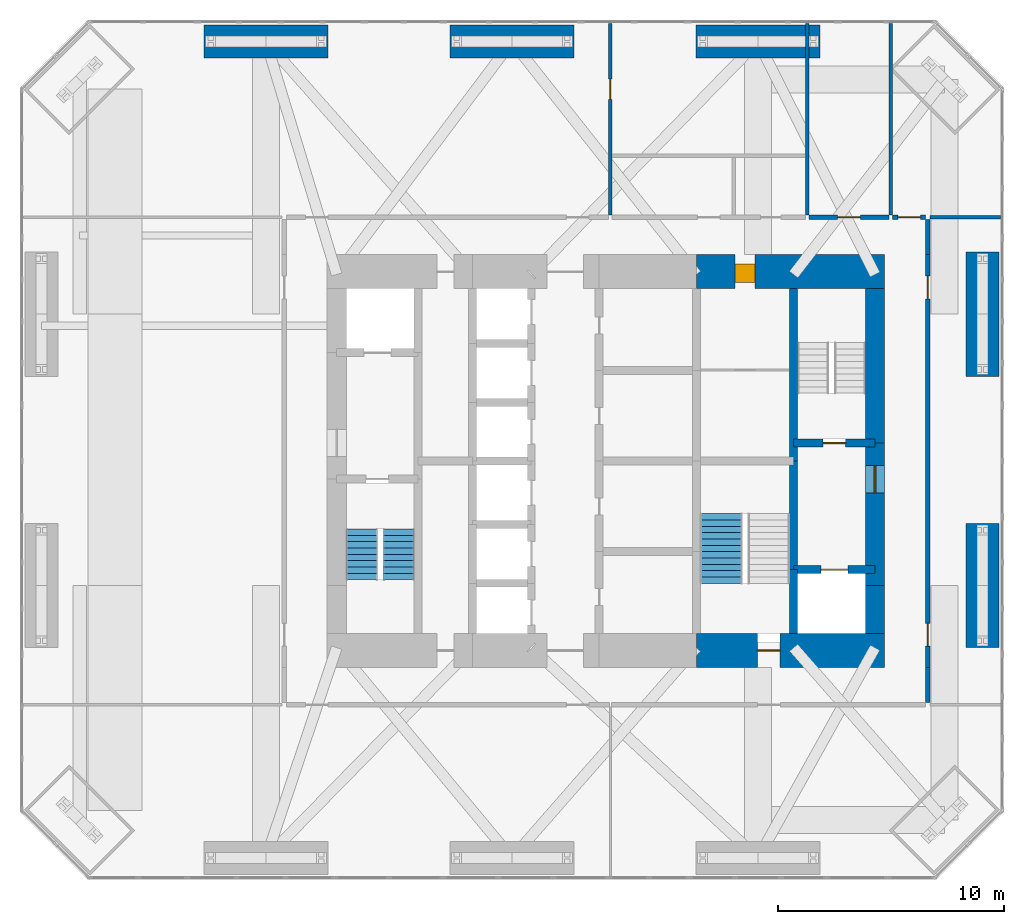
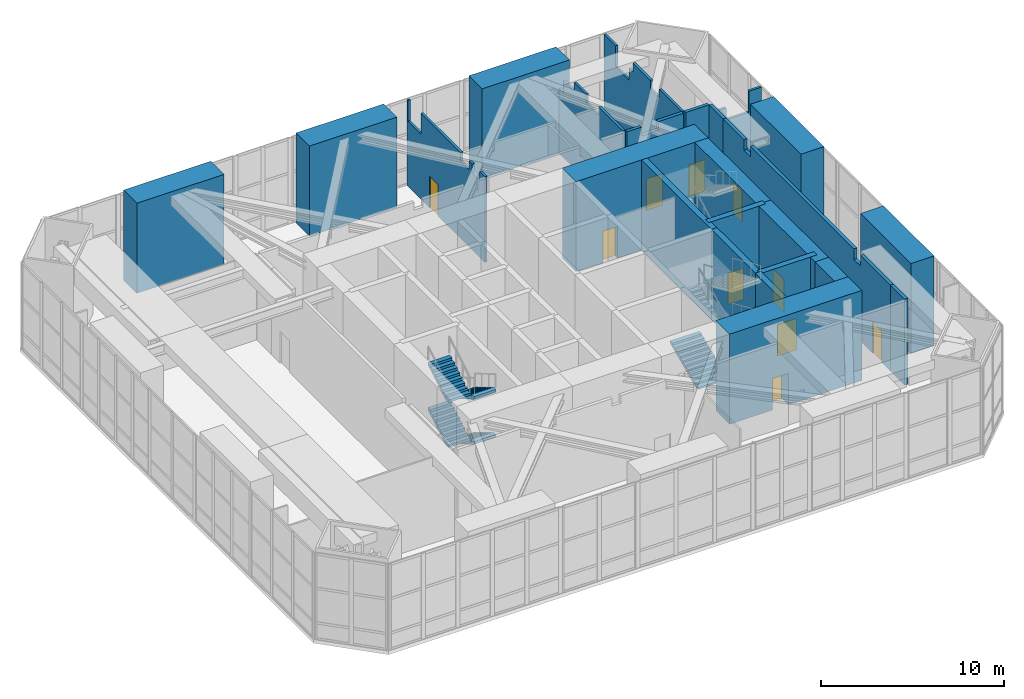
# One storey, part 16 of 18: 24 walls, 10 doors, 5 stair flights, 10 openings, 2 elements without a shape of their own.
"""IFC4 building model written with IfcOpenShell, lengths in metres."""

from ifc_helpers import new_model, si_unit, direction, frame, frame_2d, origin, place, context, subcontext, project, spatial, polyline, rectangle, outline, extrude, material, layer, layer_set, constituent, constituent_set, type_object, element, fill, aggregate, save


model = new_model("IFC4")

# Units and contexts
model_context = context("Model", 3, precision=1e-05, world=origin(), true_north=direction((0.0, 1.0)))
body_context = subcontext(model_context, "Body", "Model", "MODEL_VIEW")
ifc_project = project(units=[si_unit("LENGTHUNIT", "METRE"), si_unit("AREAUNIT", "SQUARE_METRE"), si_unit("VOLUMEUNIT", "CUBIC_METRE"), si_unit("PLANEANGLEUNIT", "RADIAN"), si_unit("MASSUNIT", "GRAM", prefix="KILO")], contexts=[model_context])

# Site, building, storey
site_placement = place(None, origin())
site = spatial("IfcSite", under=ifc_project, at=site_placement, CompositionType="ELEMENT")
building_placement = place(site_placement, origin())
building = spatial("IfcBuilding", under=site, at=building_placement, Name="Jalousie Tower", CompositionType="ELEMENT")
storey_placement = place(building_placement, frame((0.0, 0.0, 138.35009765625)))
storey = spatial("IfcBuildingStorey", under=building, at=storey_placement, Name="L38", CompositionType="ELEMENT", Elevation=138.35009765625)

# Wall, opening, door
ifc_material_1 = material(Name="Concrete block ASTM C90", Category="concrete")
ifc_constituent_1 = constituent(ifc_material_1, Name="Body")
ifc_material_2 = material(Name="Render")
ifc_constituent_2 = constituent(ifc_material_2, Name="Finish")
ifc_constituent_set_1 = constituent_set(constituents=[ifc_constituent_1, ifc_constituent_2])
wall_type_1 = type_object("IfcWallType", Name="BATHROOM WALL 150", PredefinedType="PLUMBINGWALL", material=ifc_constituent_set_1)
wall_1_placement = place(storey_placement, frame((32.10009765625, 29.375, 0.0), z_axis=(0.0, 0.0, 1.0), x_axis=(0.0, 1.0, 0.0)))
wall_1 = element("IfcWall", 1, at=wall_1_placement, inside=storey, type_object=wall_type_1, Name="Bathroom Wall 150 L38", PredefinedType="PLUMBINGWALL", context=body_context, shape_type="SweptSolid", body=[
    extrude(outline(polyline([(0.0, 0.0), (8.47509765625, 0.0), (8.47509765625, 5.719970703125), (8.375, 5.719970703125), (8.375, 4.31982421875), (6.97509765625, 4.31982421875), (6.97509765625, 5.719970703125), (2.65283203125, 5.719970703125), (2.65283203125, 5.140869140625), (1.701904296875, 5.140869140625), (1.701904296875, 5.719970703125), (1.38671875, 5.719970703125), (1.38671875, 5.140869140625), (0.555419921875, 5.140869140625), (0.555419921875, 5.719970703125), (0.0, 5.719970703125), (0.0, 0.0)])), frame((0.0, 0.074951171875, 0.0), z_axis=(0.0, -1.0, 0.0), x_axis=(1.0, 0.0, 0.0)), (0.0, 0.0, 1.0), 0.14990234375),
])
opening_1_placement = place(wall_1_placement, frame((5.112548828125, 0.0, 0.0)))
opening_1 = element("IfcOpeningElement", 2, at=opening_1_placement, cuts=wall_1, Name="Opening D7", PredefinedType="OPENING", context=body_context, shape_type="SweptSolid", body=[
    extrude(rectangle(XDim=0.89990234375, YDim=2.10009765625, at=frame_2d((0.449951171875, 1.050048828125))), frame((0.0, 0.0849609375, 0.0), z_axis=(0.0, -1.0, 0.0), x_axis=(1.0, 0.0, 0.0)), (0.0, 0.0, 1.0), 0.169921875),
])
ifc_material_3 = material(Name="Timber door", Category="wood")
door_type_1 = type_object("IfcDoorType", Name="INTERNAL DOOR 900", OperationType="SINGLE_SWING_LEFT", PredefinedType="DOOR", material=ifc_material_3)
door_1_placement = place(opening_1_placement, frame((0.89990234375, 0.0, 0.0), z_axis=(0.0, 0.0, 1.0), x_axis=(-1.0, 0.0, 0.0)))
door_1 = element("IfcDoor", 3, at=door_1_placement, inside=storey, type_object=door_type_1, Name="Sky lounge furniture store door", OperationType="SINGLE_SWING_RIGHT", OverallHeight=2.10009765625, OverallWidth=0.89990234375, PredefinedType="DOOR", context=body_context, shape_type="SweptSolid", body=[
    extrude(rectangle(XDim=0.89990234375, YDim=2.10009765625, at=frame_2d((0.449951171875, 1.050048828125))), frame((0.0, 0.02490234375, 0.0), z_axis=(0.0, -1.0, 0.0), x_axis=(1.0, 0.0, 0.0)), (0.0, 0.0, 1.0), 0.050048828125),
])
fill(opening_1, door_1)

# Walls
wall_2_placement = place(storey_placement, frame((40.800048828125, 29.375, 0.0), z_axis=(0.0, 0.0, 1.0), x_axis=(0.0, 1.0, 0.0)))
element("IfcWall", 4, at=wall_2_placement, inside=storey, type_object=wall_type_1, Name="Bathroom Wall 150 L38", PredefinedType="PLUMBINGWALL", context=body_context, shape_type="SweptSolid", body=[
    extrude(outline(polyline([(2.670654296875, 5.719970703125), (0.0, 5.719970703125), (0.0, 0.0), (7.4287109375, 0.0), (7.4287109375, 0.27880859375), (7.921142578125, 0.27880859375), (7.921142578125, 0.0), (8.47509765625, 0.0), (8.47509765625, 5.719970703125), (7.961181640625, 5.719970703125), (7.961181640625, 4.31982421875), (6.501708984375, 4.31982421875), (6.501708984375, 5.119873046875), (5.30859375, 5.119873046875), (5.30859375, 5.719970703125), (4.021484375, 5.719970703125), (4.021484375, 5.140869140625), (2.670654296875, 5.140869140625), (2.670654296875, 5.719970703125)])), frame((0.0, 0.074951171875, 0.0), z_axis=(0.0, -1.0, 0.0), x_axis=(1.0, 0.0, 0.0)), (0.0, 0.0, 1.0), 0.14990234375),
])
wall_3_placement = place(storey_placement, frame((44.498046875, 29.375, 0.0), z_axis=(0.0, 0.0, 1.0), x_axis=(0.0, 1.0, 0.0)))
element("IfcWall", 5, at=wall_3_placement, inside=storey, type_object=wall_type_1, Name="Bathroom Wall 150 L38", PredefinedType="PLUMBINGWALL", context=body_context, shape_type="SweptSolid", body=[
    extrude(outline(polyline([(0.0, 0.0), (8.47509765625, 0.0), (8.47509765625, 5.719970703125), (7.206787109375, 5.719970703125), (7.206787109375, 4.31982421875), (5.747314453125, 4.31982421875), (5.747314453125, 5.119873046875), (5.30859375, 5.119873046875), (5.30859375, 5.719970703125), (3.41259765625, 5.719970703125), (3.41259765625, 5.140869140625), (2.447021484375, 5.140869140625), (2.447021484375, 5.719970703125), (0.0, 5.719970703125), (0.0, 0.0)])), frame((0.0, 0.074951171875, 0.0), z_axis=(0.0, -1.0, 0.0), x_axis=(1.0, 0.0, 0.0)), (0.0, 0.0, 1.0), 0.14990234375),
])
wall_4_placement = place(storey_placement, frame((46.22509765625, 29.27490234375, 0.0), z_axis=(0.0, 0.0, 1.0), x_axis=(1.0, 0.0, 0.0)))
element("IfcWall", 6, at=wall_4_placement, inside=storey, type_object=wall_type_1, Name="Bathroom Wall 150 L38", PredefinedType="PLUMBINGWALL", context=body_context, shape_type="SweptSolid", body=[
    extrude(outline(polyline([(0.0, 0.0), (3.125, 0.0), (3.125, 5.719970703125), (2.35302734375, 5.719970703125), (2.35302734375, 4.31982421875), (0.910400390625, 4.31982421875), (0.910400390625, 5.119873046875), (0.0, 5.119873046875), (0.0, 0.0)])), frame((0.0, 0.074951171875, 0.0), z_axis=(0.0, -1.0, 0.0), x_axis=(1.0, 0.0, 0.0)), (0.0, 0.0, 1.0), 0.14990234375),
])

# Wall, opening, door
ifc_material_4 = material(Name="Concrete f'c 120 MPa", Category="concrete")
ifc_layer_1 = layer(ifc_material_4, 1.5)
ifc_layer_set_1 = layer_set([ifc_layer_1], Name="Concrete f'c 120 MPa")
wall_type_2 = type_object("IfcWallType", Name="CORE WALL 1500", PredefinedType="SHEAR", material=ifc_layer_set_1)
wall_5_placement = place(storey_placement, frame((35.89990234375, 10.125, 0.0), z_axis=(0.0, 0.0, 1.0), x_axis=(1.0, 0.0, 0.0)))
wall_5 = element("IfcWall", 7, at=wall_5_placement, inside=storey, type_object=wall_type_2, Name="Core wall SD L38", PredefinedType="SHEAR", context=body_context, shape_type="SweptSolid", body=[
    extrude(rectangle(XDim=8.3251953125, YDim=1.5, at=frame_2d((4.16259765625, 0.0))), origin(), (0.0, 0.0, 1.0), 6.0),
])
opening_2_placement = place(wall_5_placement, frame((2.699951171875, 0.0, 0.0)))
opening_2 = element("IfcOpeningElement", 8, at=opening_2_placement, cuts=wall_5, Name="Opening D10", PredefinedType="OPENING", context=body_context, shape_type="SweptSolid", body=[
    extrude(rectangle(XDim=1.0, YDim=2.10009765625, at=frame_2d((0.5, 1.050048828125))), frame((0.0, 0.760009765625, 0.0), z_axis=(0.0, -1.0, 0.0), x_axis=(1.0, 0.0, 0.0)), (0.0, 0.0, 1.0), 1.52001953125),
])
ifc_material_5 = material(Name="Steel fire door", Category="steel")
door_type_2 = type_object("IfcDoorType", Name="STAIR DOOR 1000", OperationType="SINGLE_SWING_LEFT", PredefinedType="DOOR", material=ifc_material_5)
door_2_placement = place(opening_2_placement, origin())
door_2 = element("IfcDoor", 9, at=door_2_placement, inside=storey, type_object=door_type_2, Name="Exit stair C door", OperationType="SINGLE_SWING_RIGHT", OverallHeight=2.10009765625, OverallWidth=1.0, PredefinedType="DOOR", context=body_context, shape_type="SweptSolid", body=[
    extrude(rectangle(XDim=1.0, YDim=2.10009765625, at=frame_2d((0.5, 1.050048828125))), frame((0.0, 0.02490234375, 0.0), z_axis=(0.0, -1.0, 0.0), x_axis=(1.0, 0.0, 0.0)), (0.0, 0.0, 1.0), 0.050048828125),
])
fill(opening_2, door_2)

wall_6_placement = place(storey_placement, frame((44.22509765625, 26.875, 0.0), z_axis=(0.0, 0.0, 1.0), x_axis=(-1.0, 0.0, 0.0)))
wall_6 = element("IfcWall", 10, at=wall_6_placement, inside=storey, type_object=wall_type_2, Name="Core wall NA L38", PredefinedType="SHEAR", context=body_context, shape_type="SweptSolid", body=[
    extrude(rectangle(XDim=8.3251953125, YDim=1.5, at=frame_2d((4.16259765625, 0.0))), origin(), (0.0, 0.0, 1.0), 6.0),
])
opening_3_placement = place(wall_6_placement, frame((5.72509765625, 0.0, 0.0)))
opening_3 = element("IfcOpeningElement", 11, at=opening_3_placement, cuts=wall_6, Name="Opening D26", PredefinedType="OPENING", context=body_context, shape_type="SweptSolid", body=[
    extrude(rectangle(XDim=0.89990234375, YDim=2.10009765625, at=frame_2d((0.449951171875, 1.050048828125))), frame((0.0, 0.760009765625, 0.0), z_axis=(0.0, -1.0, 0.0), x_axis=(1.0, 0.0, 0.0)), (0.0, 0.0, 1.0), 1.52001953125),
])
ifc_material_6 = material(Name="Steel fire door", Category="steel")
door_type_3 = type_object("IfcDoorType", Name="HOUSEKEEPING STORE DOOR 900", OperationType="SINGLE_SWING_LEFT", PredefinedType="DOOR", material=ifc_material_6)
door_3_placement = place(opening_3_placement, origin())
door_3 = element("IfcDoor", 12, at=door_3_placement, inside=storey, type_object=door_type_3, Name="Housekeeping store door", OperationType="SINGLE_SWING_LEFT", OverallHeight=2.10009765625, OverallWidth=0.89990234375, PredefinedType="DOOR", context=body_context, shape_type="SweptSolid", body=[
    extrude(rectangle(XDim=0.89990234375, YDim=2.10009765625, at=frame_2d((0.449951171875, 1.050048828125))), frame((0.0, 0.47021484375, 0.0), z_axis=(0.0, -1.0, 0.0), x_axis=(1.0, 0.0, 0.0)), (0.0, 0.0, 1.0), 0.800048828125),
])
fill(opening_3, door_3)

# Walls
ifc_material_7 = material(Name="Concrete f'c 120 MPa", Category="concrete")
ifc_layer_2 = layer(ifc_material_7, 0.35009765625)
ifc_layer_set_2 = layer_set([ifc_layer_2], Name="Concrete f'c 120 MPa")
wall_type_3 = type_object("IfcWallType", Name="CORE WALL 350", PredefinedType="SHEAR", material=ifc_layer_set_2)
wall_7_placement = place(storey_placement, frame((40.199951171875, 10.875, 0.0), z_axis=(0.0, 0.0, 1.0), x_axis=(0.0, 1.0, 0.0)))
element("IfcWall", 13, at=wall_7_placement, inside=storey, type_object=wall_type_3, Name="Core wall X40.2A L38", PredefinedType="SHEAR", context=body_context, shape_type="SweptSolid", body=[
    extrude(rectangle(XDim=2.824951171875, YDim=0.35009765625, at=frame_2d((1.41259765625, 0.0))), origin(), (0.0, 0.0, 1.0), 6.0),
])
wall_8_placement = place(storey_placement, frame((40.199951171875, 13.699951171875, 0.0), z_axis=(0.0, 0.0, 1.0), x_axis=(0.0, 1.0, 0.0)))
element("IfcWall", 14, at=wall_8_placement, inside=storey, type_object=wall_type_3, Name="Core wall X40.2B L38", PredefinedType="SHEAR", context=body_context, shape_type="SweptSolid", body=[
    extrude(rectangle(XDim=4.800048828125, YDim=0.35009765625, at=frame_2d((2.39990234375, 0.0))), origin(), (0.0, 0.0, 1.0), 6.0),
])
wall_9_placement = place(storey_placement, frame((40.199951171875, 18.5, 0.0), z_axis=(0.0, 0.0, 1.0), x_axis=(0.0, 1.0, 0.0)))
element("IfcWall", 15, at=wall_9_placement, inside=storey, type_object=wall_type_3, Name="Core wall X40.2C L38", PredefinedType="SHEAR", context=body_context, shape_type="SweptSolid", body=[
    extrude(rectangle(XDim=7.625, YDim=0.35009765625, at=frame_2d((3.8125, 0.0))), origin(), (0.0, 0.0, 1.0), 6.0),
])

# Wall, opening, door
wall_10_placement = place(storey_placement, frame((40.199951171875, 13.699951171875, 0.0), z_axis=(0.0, 0.0, 1.0), x_axis=(1.0, 0.0, 0.0)))
wall_10 = element("IfcWall", 16, at=wall_10_placement, inside=storey, type_object=wall_type_3, Name="Core wall Y40.2-13.7 L38", PredefinedType="SHEAR", context=body_context, shape_type="SweptSolid", body=[
    extrude(rectangle(XDim=3.60009765625, YDim=0.35009765625, at=frame_2d((1.800048828125, 0.0))), origin(), (0.0, 0.0, 1.0), 6.0),
])
opening_4_placement = place(wall_10_placement, frame((1.199951171875, 0.0, 0.0)))
opening_4 = element("IfcOpeningElement", 17, at=opening_4_placement, cuts=wall_10, Name="Opening LD2", PredefinedType="OPENING", context=body_context, shape_type="SweptSolid", body=[
    extrude(rectangle(XDim=1.199951171875, YDim=2.10009765625, at=frame_2d((0.60009765625, 1.050048828125))), frame((0.0, 0.18505859375, 0.0), z_axis=(0.0, -1.0, 0.0), x_axis=(1.0, 0.0, 0.0)), (0.0, 0.0, 1.0), 0.3701171875),
])
ifc_material_8 = material(Name="Steel lift landing door", Category="steel")
door_type_4 = type_object("IfcDoorType", Name="LIFT LANDING DOOR 1200", OperationType="SLIDING_TO_LEFT", PredefinedType="DOOR", material=ifc_material_8)
door_4_placement = place(opening_4_placement, origin())
door_4 = element("IfcDoor", 18, at=door_4_placement, inside=storey, type_object=door_type_4, Name="Lift F2 landing door", OperationType="SLIDING_TO_LEFT", OverallHeight=2.10009765625, OverallWidth=1.199951171875, PredefinedType="DOOR", context=body_context, shape_type="SweptSolid", body=[
    extrude(rectangle(XDim=1.199951171875, YDim=2.10009765625, at=frame_2d((0.60009765625, 1.050048828125))), frame((0.0, 0.02490234375, 0.0), z_axis=(0.0, -1.0, 0.0), x_axis=(1.0, 0.0, 0.0)), (0.0, 0.0, 1.0), 0.050048828125),
])
fill(opening_4, door_4)

wall_11_placement = place(storey_placement, frame((40.199951171875, 19.300048828125, 0.0), z_axis=(0.0, 0.0, 1.0), x_axis=(1.0, 0.0, 0.0)))
wall_11 = element("IfcWall", 19, at=wall_11_placement, inside=storey, type_object=wall_type_3, Name="Core wall Y40.2-19.3 L38", PredefinedType="SHEAR", context=body_context, shape_type="SweptSolid", body=[
    extrude(rectangle(XDim=3.60009765625, YDim=0.35009765625, at=frame_2d((1.800048828125, 0.0))), origin(), (0.0, 0.0, 1.0), 6.0),
])
opening_5_placement = place(wall_11_placement, frame((1.300048828125, 0.0, 0.0)))
opening_5 = element("IfcOpeningElement", 20, at=opening_5_placement, cuts=wall_11, Name="Opening D10", PredefinedType="OPENING", context=body_context, shape_type="SweptSolid", body=[
    extrude(rectangle(XDim=1.0, YDim=2.10009765625, at=frame_2d((0.5, 1.050048828125))), frame((0.0, 0.18505859375, 0.0), z_axis=(0.0, -1.0, 0.0), x_axis=(1.0, 0.0, 0.0)), (0.0, 0.0, 1.0), 0.3701171875),
])
door_5_placement = place(opening_5_placement, origin())
door_5 = element("IfcDoor", 21, at=door_5_placement, inside=storey, type_object=door_type_2, Name="Exit stair B door", OperationType="SINGLE_SWING_RIGHT", OverallHeight=2.10009765625, OverallWidth=1.0, PredefinedType="DOOR", context=body_context, shape_type="SweptSolid", body=[
    extrude(rectangle(XDim=1.0, YDim=2.10009765625, at=frame_2d((0.5, 1.050048828125))), frame((0.0, 0.02490234375, 0.0), z_axis=(0.0, -1.0, 0.0), x_axis=(1.0, 0.0, 0.0)), (0.0, 0.0, 1.0), 0.050048828125),
])
fill(opening_5, door_5)

# Wall
ifc_material_9 = material(Name="Concrete f'c 120 MPa", Category="concrete")
ifc_layer_3 = layer(ifc_material_9, 0.85009765625)
ifc_layer_set_3 = layer_set([ifc_layer_3], Name="Concrete f'c 120 MPa")
wall_type_4 = type_object("IfcWallType", Name="CORE WALL 850", PredefinedType="SHEAR", material=ifc_layer_set_3)
wall_12_placement = place(storey_placement, frame((43.800048828125, 10.875, 0.0), z_axis=(0.0, 0.0, 1.0), x_axis=(0.0, 1.0, 0.0)))
element("IfcWall", 22, at=wall_12_placement, inside=storey, type_object=wall_type_4, Name="Core wall EA L38", PredefinedType="SHEAR", context=body_context, shape_type="SweptSolid", body=[
    extrude(rectangle(XDim=2.125, YDim=0.85009765625, at=frame_2d((1.0625, 0.0))), origin(), (0.0, 0.0, 1.0), 6.0),
])

# Wall, opening, door
wall_13_placement = place(storey_placement, frame((43.800048828125, 13.0, 0.0), z_axis=(0.0, 0.0, 1.0), x_axis=(0.0, 1.0, 0.0)))
wall_13 = element("IfcWall", 23, at=wall_13_placement, inside=storey, type_object=wall_type_4, Name="Core wall EB L38", PredefinedType="SHEAR", context=body_context, shape_type="SweptSolid", body=[
    extrude(rectangle(XDim=6.300048828125, YDim=0.85009765625, at=frame_2d((3.14990234375, 0.0))), origin(), (0.0, 0.0, 1.0), 6.0),
])
opening_6_placement = place(wall_13_placement, frame((4.10009765625, 0.0, 0.0)))
opening_6 = element("IfcOpeningElement", 24, at=opening_6_placement, cuts=wall_13, Name="Opening D11", PredefinedType="OPENING", context=body_context, shape_type="SweptSolid", body=[
    extrude(rectangle(XDim=1.199951171875, YDim=2.199951171875, at=frame_2d((0.60009765625, 1.10009765625))), frame((0.0, 0.43505859375, 0.0), z_axis=(0.0, -1.0, 0.0), x_axis=(1.0, 0.0, 0.0)), (0.0, 0.0, 1.0), 0.8701171875),
])
ifc_material_10 = material(Name="Steel fire door", Category="steel")
door_type_5 = type_object("IfcDoorType", Name="FIRE DOOR 1200", OperationType="SINGLE_SWING_LEFT", PredefinedType="DOOR", material=ifc_material_10)
door_6_placement = place(opening_6_placement, origin())
door_6 = element("IfcDoor", 25, at=door_6_placement, inside=storey, type_object=door_type_5, Name="Fire-fighting lobby B door", OperationType="SINGLE_SWING_RIGHT", OverallHeight=2.199951171875, OverallWidth=1.199951171875, PredefinedType="DOOR", context=body_context, shape_type="SweptSolid", body=[
    extrude(rectangle(XDim=1.199951171875, YDim=2.199951171875, at=frame_2d((0.60009765625, 1.10009765625))), frame((0.0, 0.02490234375, 0.0), z_axis=(0.0, -1.0, 0.0), x_axis=(1.0, 0.0, 0.0)), (0.0, 0.0, 1.0), 0.050048828125),
])
fill(opening_6, door_6)

# Walls
wall_14_placement = place(storey_placement, frame((43.800048828125, 19.300048828125, 0.0), z_axis=(0.0, 0.0, 1.0), x_axis=(0.0, 1.0, 0.0)))
element("IfcWall", 26, at=wall_14_placement, inside=storey, type_object=wall_type_4, Name="Core wall EC L38", PredefinedType="SHEAR", context=body_context, shape_type="SweptSolid", body=[
    extrude(rectangle(XDim=6.824951171875, YDim=0.85009765625, at=frame_2d((3.41259765625, 0.0))), origin(), (0.0, 0.0, 1.0), 6.0),
])
ifc_material_11 = material(Name="Concrete block ASTM C90", Category="concrete")
ifc_constituent_3 = constituent(ifc_material_11, Name="Body")
ifc_material_12 = material(Name="Render")
ifc_constituent_4 = constituent(ifc_material_12, Name="Finish")
ifc_constituent_set_2 = constituent_set(constituents=[ifc_constituent_3, ifc_constituent_4])
wall_type_5 = type_object("IfcWallType", Name="CORRIDOR WALL 200", PredefinedType="PARTITIONING", material=ifc_constituent_set_2)
wall_15_placement = place(storey_placement, frame((46.125, 7.824951171875, 0.0), z_axis=(0.0, 0.0, 1.0), x_axis=(0.0, 1.0, 0.0)))
element("IfcWall", 27, at=wall_15_placement, inside=storey, type_object=wall_type_5, Name="Corridor Wall 200 L38", PredefinedType="PARTITIONING", context=body_context, shape_type="SweptSolid", body=[
    extrude(rectangle(XDim=1.550048828125, YDim=0.199951171875, at=frame_2d((0.77490234375, 0.0))), origin(), (0.0, 0.0, 1.0), 5.719970703125),
])

# Wall, opening, door
wall_16_placement = place(storey_placement, frame((40.875, 29.27490234375, 0.0), z_axis=(0.0, 0.0, 1.0), x_axis=(1.0, 0.0, 0.0)))
wall_16 = element("IfcWall", 28, at=wall_16_placement, inside=storey, type_object=wall_type_5, Name="Corridor Wall 200 L38", PredefinedType="PARTITIONING", context=body_context, shape_type="SweptSolid", body=[
    extrude(outline(polyline([(0.0, 0.0), (3.548095703125, 0.0), (3.548095703125, 5.719970703125), (1.970947265625, 5.719970703125), (1.970947265625, 5.140869140625), (0.902587890625, 5.140869140625), (0.902587890625, 5.719970703125), (0.0, 5.719970703125), (0.0, 0.0)])), frame((0.0, 0.10009765625, 0.0), z_axis=(0.0, -1.0, 0.0), x_axis=(1.0, 0.0, 0.0)), (0.0, 0.0, 1.0), 0.199951171875),
])
opening_7_placement = place(wall_16_placement, frame((1.27392578125, 0.0, 0.0)))
opening_7 = element("IfcOpeningElement", 29, at=opening_7_placement, cuts=wall_16, Name="Opening D21", PredefinedType="OPENING", context=body_context, shape_type="SweptSolid", body=[
    extrude(rectangle(XDim=1.0, YDim=2.10009765625, at=frame_2d((0.5, 1.050048828125))), frame((0.0, 0.10986328125, 0.0), z_axis=(0.0, -1.0, 0.0), x_axis=(1.0, 0.0, 0.0)), (0.0, 0.0, 1.0), 0.219970703125),
])
ifc_material_13 = material(Name="Timber fire door", Category="wood")
door_type_6 = type_object("IfcDoorType", Name="CORRIDOR DOOR 1000", OperationType="SINGLE_SWING_LEFT", PredefinedType="DOOR", material=ifc_material_13)
door_7_placement = place(opening_7_placement, origin())
door_7 = element("IfcDoor", 30, at=door_7_placement, inside=storey, type_object=door_type_6, Name="Female WC door", OperationType="SINGLE_SWING_RIGHT", OverallHeight=2.10009765625, OverallWidth=1.0, PredefinedType="DOOR", context=body_context, shape_type="SweptSolid", body=[
    extrude(rectangle(XDim=1.0, YDim=2.10009765625, at=frame_2d((0.5, 1.050048828125))), frame((0.0, 0.02490234375, 0.0), z_axis=(0.0, -1.0, 0.0), x_axis=(1.0, 0.0, 0.0)), (0.0, 0.0, 1.0), 0.050048828125),
])
fill(opening_7, door_7)

wall_17_placement = place(storey_placement, frame((44.572998046875, 29.27490234375, 0.0), z_axis=(0.0, 0.0, 1.0), x_axis=(1.0, 0.0, 0.0)))
wall_17 = element("IfcWall", 31, at=wall_17_placement, inside=storey, type_object=wall_type_5, Name="Corridor Wall 200 L38", PredefinedType="PARTITIONING", context=body_context, shape_type="SweptSolid", body=[
    extrude(rectangle(XDim=1.451904296875, YDim=0.199951171875, at=frame_2d((0.72607421875, 0.0))), origin(), (0.0, 0.0, 1.0), 5.719970703125),
])
opening_8_placement = place(wall_17_placement, frame((0.238525390625, 0.0, 0.0)))
opening_8 = element("IfcOpeningElement", 32, at=opening_8_placement, cuts=wall_17, Name="Opening D21", PredefinedType="OPENING", context=body_context, shape_type="SweptSolid", body=[
    extrude(rectangle(XDim=1.0, YDim=2.10009765625, at=frame_2d((0.5, 1.050048828125))), frame((0.0, 0.10986328125, 0.0), z_axis=(0.0, -1.0, 0.0), x_axis=(1.0, 0.0, 0.0)), (0.0, 0.0, 1.0), 0.219970703125),
])
door_8_placement = place(opening_8_placement, origin())
door_8 = element("IfcDoor", 33, at=door_8_placement, inside=storey, type_object=door_type_6, Name="Male WC door", OperationType="SINGLE_SWING_LEFT", OverallHeight=2.10009765625, OverallWidth=1.0, PredefinedType="DOOR", context=body_context, shape_type="SweptSolid", body=[
    extrude(rectangle(XDim=1.0, YDim=2.10009765625, at=frame_2d((0.5, 1.050048828125))), frame((0.0, 0.02490234375, 0.0), z_axis=(0.0, -1.0, 0.0), x_axis=(1.0, 0.0, 0.0)), (0.0, 0.0, 1.0), 0.050048828125),
])
fill(opening_8, door_8)

# Wall
wall_18_placement = place(storey_placement, frame((46.125, 27.625, 0.0), z_axis=(0.0, 0.0, 1.0), x_axis=(0.0, 1.0, 0.0)))
element("IfcWall", 34, at=wall_18_placement, inside=storey, type_object=wall_type_5, Name="Corridor Wall 200 L38", PredefinedType="PARTITIONING", context=body_context, shape_type="SweptSolid", body=[
    extrude(rectangle(XDim=1.550048828125, YDim=0.199951171875, at=frame_2d((0.77490234375, 0.0))), origin(), (0.0, 0.0, 1.0), 5.719970703125),
])

# Wall, openings, doors
wall_19_placement = place(storey_placement, frame((46.125, 9.375, 0.0), z_axis=(0.0, 0.0, 1.0), x_axis=(0.0, 1.0, 0.0)))
wall_19 = element("IfcWall", 35, at=wall_19_placement, inside=storey, type_object=wall_type_5, Name="Corridor Wall 200 L38", PredefinedType="PARTITIONING", context=body_context, shape_type="SweptSolid", body=[
    extrude(outline(polyline([(0.0, 0.0), (18.25, 0.0), (18.25, 5.719970703125), (15.97509765625, 5.719970703125), (15.97509765625, 5.02001953125), (15.27490234375, 5.02001953125), (15.27490234375, 5.719970703125), (3.97509765625, 5.719970703125), (3.97509765625, 5.02001953125), (3.27490234375, 5.02001953125), (3.27490234375, 5.719970703125), (0.0, 5.719970703125), (0.0, 0.0)])), frame((0.0, 0.10009765625, 0.0), z_axis=(0.0, -1.0, 0.0), x_axis=(1.0, 0.0, 0.0)), (0.0, 0.0, 1.0), 0.199951171875),
])
opening_9_placement = place(wall_19_placement, frame((0.949951171875, 0.0, 0.0)))
opening_9 = element("IfcOpeningElement", 36, at=opening_9_placement, cuts=wall_19, Name="Opening D21", PredefinedType="OPENING", context=body_context, shape_type="SweptSolid", body=[
    extrude(rectangle(XDim=1.0, YDim=2.10009765625, at=frame_2d((0.5, 1.050048828125))), frame((0.0, 0.10986328125, 0.0), z_axis=(0.0, -1.0, 0.0), x_axis=(1.0, 0.0, 0.0)), (0.0, 0.0, 1.0), 0.219970703125),
])
opening_10_placement = place(wall_19_placement, frame((16.300048828125, 0.0, 0.0)))
opening_10 = element("IfcOpeningElement", 37, at=opening_10_placement, cuts=wall_19, Name="Opening D21", PredefinedType="OPENING", context=body_context, shape_type="SweptSolid", body=[
    extrude(rectangle(XDim=1.0, YDim=2.10009765625, at=frame_2d((0.5, 1.050048828125))), frame((0.0, 0.10986328125, 0.0), z_axis=(0.0, -1.0, 0.0), x_axis=(1.0, 0.0, 0.0)), (0.0, 0.0, 1.0), 0.219970703125),
])
door_9_placement = place(opening_9_placement, frame((1.0, 0.0, 0.0), z_axis=(0.0, 0.0, 1.0), x_axis=(-1.0, 0.0, 0.0)))
door_9 = element("IfcDoor", 38, at=door_9_placement, inside=storey, type_object=door_type_6, Name="Sky bar door", OperationType="SINGLE_SWING_RIGHT", OverallHeight=2.10009765625, OverallWidth=1.0, PredefinedType="DOOR", context=body_context, shape_type="SweptSolid", body=[
    extrude(rectangle(XDim=1.0, YDim=2.10009765625, at=frame_2d((0.5, 1.050048828125))), frame((0.0, 0.02490234375, 0.0), z_axis=(0.0, -1.0, 0.0), x_axis=(1.0, 0.0, 0.0)), (0.0, 0.0, 1.0), 0.050048828125),
])
fill(opening_9, door_9)
door_10_placement = place(opening_10_placement, frame((1.0, 0.0, 0.0), z_axis=(0.0, 0.0, 1.0), x_axis=(-1.0, 0.0, 0.0)))
door_10 = element("IfcDoor", 39, at=door_10_placement, inside=storey, type_object=door_type_6, Name="Sky bar second door", OperationType="SINGLE_SWING_LEFT", OverallHeight=2.10009765625, OverallWidth=1.0, PredefinedType="DOOR", context=body_context, shape_type="SweptSolid", body=[
    extrude(rectangle(XDim=1.0, YDim=2.10009765625, at=frame_2d((0.5, 1.050048828125))), frame((0.0, 0.02490234375, 0.0), z_axis=(0.0, -1.0, 0.0), x_axis=(1.0, 0.0, 0.0)), (0.0, 0.0, 1.0), 0.050048828125),
])
fill(opening_10, door_10)

# Walls
ifc_material_14 = material(Name="Concrete f'c 120 MPa", Category="concrete")
ifc_layer_4 = layer(ifc_material_14, 1.449951171875)
ifc_layer_set_4 = layer_set([ifc_layer_4], Name="Concrete f'c 120 MPa")
wall_type_6 = type_object("IfcWallType", Name="RC WALL PIER 1450", PredefinedType="SHEAR", material=ifc_layer_set_4)
for number, where, z_axis, x_axis, name in (
    (40, (48.550048828125, 10.25, 0.0), (0.0, 0.0, 1.0), (0.0, 1.0, 0.0), "Wall pier 06 L38"),
    (41, (48.550048828125, 22.25, 0.0), (0.0, 0.0, 1.0), (0.0, 1.0, 0.0), "Wall pier 07 L38"),
    (42, (35.875, 37.050048828125, 0.0), (0.0, 0.0, 1.0), (1.0, 0.0, 0.0), "Wall pier 09 L38"),
    (43, (25.0, 37.050048828125, 0.0), (0.0, 0.0, 1.0), (1.0, 0.0, 0.0), "Wall pier 10 L38"),
    (44, (14.125, 37.050048828125, 0.0), (0.0, 0.0, 1.0), (1.0, 0.0, 0.0), "Wall pier 11 L38"),
):
    element("IfcWall", number, at=place(storey_placement, frame(where, z_axis=z_axis, x_axis=x_axis)), inside=storey, type_object=wall_type_6, Name=name, PredefinedType="SHEAR", context=body_context, shape_type="SweptSolid", body=[
        extrude(rectangle(XDim=5.5, YDim=1.449951171875, at=frame_2d((2.75, 0.0))), origin(), (0.0, 0.0, 1.0), 6.0),
    ])

# Stair, stair flights
ifc_material_15 = material(Name="Concrete f'c 40 MPa", Category="concrete")
stair_type = type_object("IfcStairType", Name="EXIT STAIR", PredefinedType="HALF_TURN_STAIR", material=ifc_material_15)
stair_1_placement = place(storey_placement, origin())
stair_1 = element("IfcStair", 45, at=stair_1_placement, inside=storey, type_object=stair_type, Name="Exit stair A L38", PredefinedType="HALF_TURN_STAIR")
ifc_material_16 = material(Name="Concrete f'c 40 MPa", Category="concrete")
stair_flight_type = type_object("IfcStairFlightType", Name="STAIR FLIGHT", PredefinedType="STRAIGHT", material=ifc_material_16)
stair_flight_1_placement = place(storey_placement, frame((22.737548828125, 15.49755859375, 0.0), z_axis=(0.0, 0.0, 1.0), x_axis=(0.0, -1.0, 0.0)))
stair_flight_1 = element("IfcStairFlight", 46, at=stair_flight_1_placement, type_object=stair_flight_type, Name="ST-A flight 1", NumberOfRisers=9, NumberOfTreads=8, PredefinedType="STRAIGHT", RiserHeight=0.166666667, TreadLength=0.28, context=body_context, shape_type="SweptSolid", body=[
    extrude(outline(polyline([(0.0, 0.0), (0.0, 0.166748046875), (0.280029296875, 0.166748046875), (0.280029296875, 0.333251953125), (0.56005859375, 0.333251953125), (0.56005859375, 0.5), (0.840087890625, 0.5), (0.840087890625, 0.666748046875), (1.1201171875, 0.666748046875), (1.1201171875, 0.833251953125), (1.39990234375, 0.833251953125), (1.39990234375, 1.0), (1.679931640625, 1.0), (1.679931640625, 1.166748046875), (1.9599609375, 1.166748046875), (1.9599609375, 1.333251953125), (2.239990234375, 1.333251953125), (2.239990234375, 1.5), (2.239990234375, 1.158935546875), (0.29296875, 0.0), (0.0, 0.0)])), frame((0.0, 0.6875, 0.0), z_axis=(0.0, -1.0, 0.0), x_axis=(1.0, 0.0, 0.0)), (0.0, 0.0, 1.0), 1.375),
])
stair_flight_2_placement = place(storey_placement, frame((21.112548828125, 13.257568359375, 1.5), z_axis=(0.0, 0.0, 1.0), x_axis=(0.0, 1.0, 0.0)))
stair_flight_2 = element("IfcStairFlight", 47, at=stair_flight_2_placement, type_object=stair_flight_type, Name="ST-A flight 2", NumberOfRisers=9, NumberOfTreads=8, PredefinedType="STRAIGHT", RiserHeight=0.166666667, TreadLength=0.28, context=body_context, shape_type="SweptSolid", body=[
    extrude(outline(polyline([(0.0, 0.0), (0.0, 0.166748046875), (0.280029296875, 0.166748046875), (0.280029296875, 0.333251953125), (0.56005859375, 0.333251953125), (0.56005859375, 0.5), (0.840087890625, 0.5), (0.840087890625, 0.666748046875), (1.1201171875, 0.666748046875), (1.1201171875, 0.833251953125), (1.39990234375, 0.833251953125), (1.39990234375, 1.0), (1.679931640625, 1.0), (1.679931640625, 1.166748046875), (1.9599609375, 1.166748046875), (1.9599609375, 1.333251953125), (2.239990234375, 1.333251953125), (2.239990234375, 1.5), (2.239990234375, 1.158935546875), (0.29296875, 0.0), (0.0, 0.0)])), frame((0.0, 0.6875, 0.0), z_axis=(0.0, -1.0, 0.0), x_axis=(1.0, 0.0, 0.0)), (0.0, 0.0, 1.0), 1.375),
])
stair_flight_3_placement = place(storey_placement, frame((22.737548828125, 15.49755859375, 3.0), z_axis=(0.0, 0.0, 1.0), x_axis=(0.0, -1.0, 0.0)))
stair_flight_3 = element("IfcStairFlight", 48, at=stair_flight_3_placement, type_object=stair_flight_type, Name="ST-A flight 3", NumberOfRisers=9, NumberOfTreads=8, PredefinedType="STRAIGHT", RiserHeight=0.166666667, TreadLength=0.28, context=body_context, shape_type="SweptSolid", body=[
    extrude(outline(polyline([(0.0, 0.0), (0.0, 0.166748046875), (0.280029296875, 0.166748046875), (0.280029296875, 0.333251953125), (0.56005859375, 0.333251953125), (0.56005859375, 0.5), (0.840087890625, 0.5), (0.840087890625, 0.666748046875), (1.1201171875, 0.666748046875), (1.1201171875, 0.833251953125), (1.39990234375, 0.833251953125), (1.39990234375, 1.0), (1.679931640625, 1.0), (1.679931640625, 1.166748046875), (1.9599609375, 1.166748046875), (1.9599609375, 1.333251953125), (2.239990234375, 1.333251953125), (2.239990234375, 1.5), (2.239990234375, 1.158935546875), (0.29296875, 0.0), (0.0, 0.0)])), frame((0.0, 0.6875, 0.0), z_axis=(0.0, -1.0, 0.0), x_axis=(1.0, 0.0, 0.0)), (0.0, 0.0, 1.0), 1.375),
])
stair_flight_4_placement = place(storey_placement, frame((21.112548828125, 13.257568359375, 4.5), z_axis=(0.0, 0.0, 1.0), x_axis=(0.0, 1.0, 0.0)))
stair_flight_4 = element("IfcStairFlight", 49, at=stair_flight_4_placement, type_object=stair_flight_type, Name="ST-A flight 4", NumberOfRisers=9, NumberOfTreads=8, PredefinedType="STRAIGHT", RiserHeight=0.166666667, TreadLength=0.28, context=body_context, shape_type="SweptSolid", body=[
    extrude(outline(polyline([(0.0, 0.0), (0.0, 0.166748046875), (0.280029296875, 0.166748046875), (0.280029296875, 0.333251953125), (0.56005859375, 0.333251953125), (0.56005859375, 0.5), (0.840087890625, 0.5), (0.840087890625, 0.666748046875), (1.1201171875, 0.666748046875), (1.1201171875, 0.833251953125), (1.39990234375, 0.833251953125), (1.39990234375, 1.0), (1.679931640625, 1.0), (1.679931640625, 1.166748046875), (1.9599609375, 1.166748046875), (1.9599609375, 1.333251953125), (2.239990234375, 1.333251953125), (2.239990234375, 1.5), (2.239990234375, 1.158935546875), (0.29296875, 0.0), (0.0, 0.0)])), frame((0.0, 0.6875, 0.0), z_axis=(0.0, -1.0, 0.0), x_axis=(1.0, 0.0, 0.0)), (0.0, 0.0, 1.0), 1.375),
])
aggregate(stair_1, [stair_flight_1, stair_flight_2, stair_flight_3, stair_flight_4])

# Stair, stair flight
stair_2_placement = place(storey_placement, origin())
stair_2 = element("IfcStair", 50, at=stair_2_placement, inside=storey, type_object=stair_type, Name="Exit stair C L38", PredefinedType="HALF_TURN_STAIR")
stair_flight_5_placement = place(storey_placement, frame((37.0, 13.097412109375, 0.0), z_axis=(0.0, 0.0, 1.0), x_axis=(0.0, 1.0, 0.0)))
stair_flight_5 = element("IfcStairFlight", 51, at=stair_flight_5_placement, type_object=stair_flight_type, Name="ST-C flight 1", NumberOfRisers=12, NumberOfTreads=11, PredefinedType="STRAIGHT", RiserHeight=0.125, TreadLength=0.28, context=body_context, shape_type="SweptSolid", body=[
    extrude(outline(polyline([(0.0, 0.0), (0.0, 0.125), (0.280029296875, 0.125), (0.280029296875, 0.25), (0.56005859375, 0.25), (0.56005859375, 0.375), (0.840087890625, 0.375), (0.840087890625, 0.5), (1.1201171875, 0.5), (1.1201171875, 0.625), (1.39990234375, 0.625), (1.39990234375, 0.75), (1.679931640625, 0.75), (1.679931640625, 0.875), (1.9599609375, 0.875), (1.9599609375, 1.0), (2.239990234375, 1.0), (2.239990234375, 1.125), (2.52001953125, 1.125), (2.52001953125, 1.25), (2.800048828125, 1.25), (2.800048828125, 1.375), (3.080078125, 1.375), (3.080078125, 1.5), (3.080078125, 1.2109375), (0.36767578125, 0.0), (0.0, 0.0)])), frame((0.0, 0.925048828125, 0.0), z_axis=(0.0, -1.0, 0.0), x_axis=(1.0, 0.0, 0.0)), (0.0, 0.0, 1.0), 1.85009765625),
])
aggregate(stair_2, [stair_flight_5])

save(model, "model.ifc")
